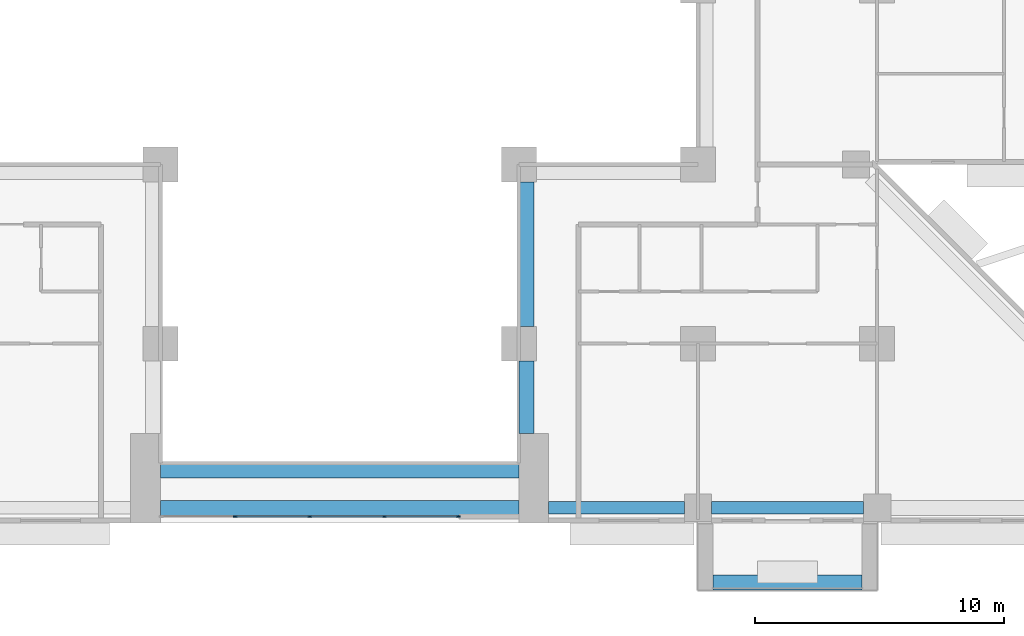
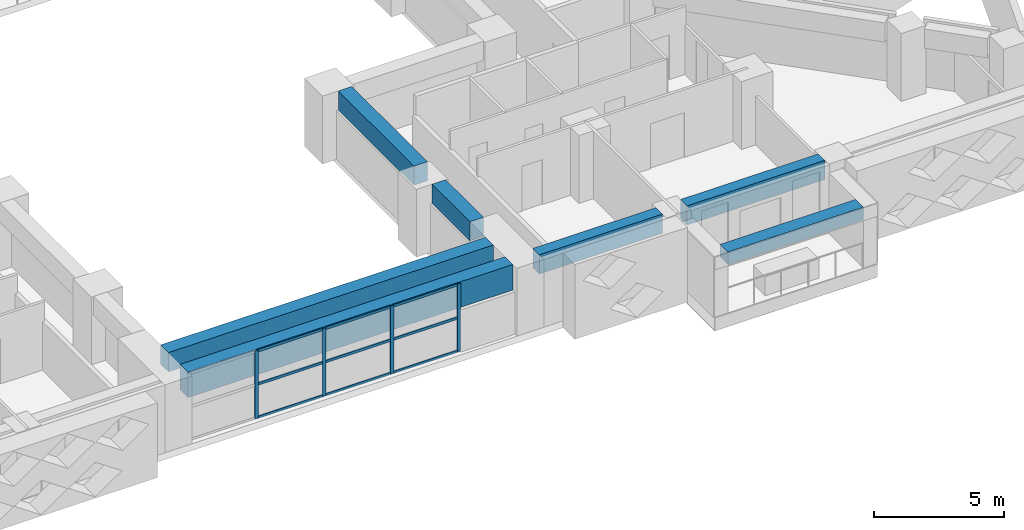
# One storey, part 4 of 16: 13 members, 7 beams, 1 element without a shape of its own.
"""IFC4 building model written with IfcOpenShell, lengths in metres."""

from ifc_helpers import new_model, si_unit, direction, frame, origin, origin_2d, place, context, subcontext, project, spatial, rectangle, extrude, source, transform, mapped, material, layer, layer_set, material_profile, profile_set, type_object, element, aggregate, save


model = new_model("IFC4")

# Units and contexts
model_context = context("Model", 3, precision=1e-05, world=origin(), true_north=direction((0.0, 1.0)))
body_context = subcontext(model_context, "Body", "Model", "MODEL_VIEW")
ifc_project = project(units=[si_unit("LENGTHUNIT", "METRE"), si_unit("AREAUNIT", "SQUARE_METRE"), si_unit("VOLUMEUNIT", "CUBIC_METRE"), si_unit("PLANEANGLEUNIT", "RADIAN"), si_unit("MASSUNIT", "GRAM", prefix="KILO")], contexts=[model_context])

# Site, building, storey
site_placement = place(None, origin())
site = spatial("IfcSite", under=ifc_project, at=site_placement, CompositionType="ELEMENT")
building_placement = place(site_placement, origin())
building = spatial("IfcBuilding", under=site, at=building_placement, Name="Saffron Iwan Residences", CompositionType="ELEMENT")
storey_placement = place(building_placement, frame((0.0, 0.0, 44.5)))
storey = spatial("IfcBuildingStorey", under=building, at=storey_placement, Name="L10", CompositionType="ELEMENT", Elevation=44.5)

# Beams
ifc_material_1 = material(Name="Concrete C60/75", Category="concrete")
ifc_material_profile_1 = material_profile(ifc_material_1, rectangle(XDim=0.5, YDim=0.89990234375, at=origin_2d()), Name="RC 500x900")
ifc_profile_set_1 = profile_set([ifc_material_profile_1], Name="Concrete C60/75")
beam_type_1 = type_object("IfcBeamType", Name="SPANDREL BEAM RC 500x900 C60/75 TOP 3180", PredefinedType="SPANDREL", material=ifc_profile_set_1)
shared_shape_1 = source(origin(), body_context, "Body", "SweptSolid", [
    extrude(rectangle(XDim=0.5, YDim=0.89990234375, at=origin_2d()), origin(), (0.0, 0.0, 1.0), 6.099853515625),
])
beam_1_placement = place(storey_placement, frame((71.449951171875, 34.199951171875, 2.72998046875), z_axis=(-1.0, 0.0, 0.0), x_axis=(0.0, -1.0, 0.0)))
element("IfcBeam", 1, at=beam_1_placement, inside=storey, type_object=beam_type_1, Name="Spandrel beam", PredefinedType="SPANDREL", context=body_context, shape_type="MappedRepresentation", body=[
    mapped(shared_shape_1, transform((0.0, 0.0, 0.0))),
])
shared_shape_2 = source(origin(), body_context, "Body", "SweptSolid", [
    extrude(rectangle(XDim=0.5, YDim=0.89990234375, at=origin_2d()), origin(), (0.0, 0.0, 1.0), 5.449951171875),
])
beam_2_placement = place(storey_placement, frame((64.25, 34.199951171875, 2.72998046875), z_axis=(-1.0, 0.0, 0.0), x_axis=(0.0, -1.0, 0.0)))
element("IfcBeam", 2, at=beam_2_placement, inside=storey, type_object=beam_type_1, Name="Spandrel beam", PredefinedType="SPANDREL", context=body_context, shape_type="MappedRepresentation", body=[
    mapped(shared_shape_2, transform((0.0, 0.0, 0.0))),
])
ifc_material_profile_2 = material_profile(ifc_material_1, rectangle(XDim=0.60009765625, YDim=1.199951171875, at=origin_2d()), Name="RC 600x1200")
ifc_profile_set_2 = profile_set([ifc_material_profile_2], Name="Concrete C60/75")
beam_type_2 = type_object("IfcBeamType", Name="LINTEL BEAM RC 600x1200 C60/75 TOP 3180", PredefinedType="LINTEL", material=ifc_profile_set_2)
shared_shape_3 = source(origin(), body_context, "Body", "SweptSolid", [
    extrude(rectangle(XDim=0.60009765625, YDim=1.199951171875, at=origin_2d()), origin(), (0.0, 0.0, 1.0), 14.400146484375),
])
beam_3_placement = place(storey_placement, frame((57.60009765625, 34.199951171875, 2.580078125), z_axis=(-1.0, 0.0, 0.0), x_axis=(0.0, -1.0, 0.0)))
element("IfcBeam", 3, at=beam_3_placement, inside=storey, type_object=beam_type_2, Name="Lintel beam over the iwan", PredefinedType="LINTEL", context=body_context, shape_type="MappedRepresentation", body=[
    mapped(shared_shape_3, transform((0.0, 0.0, 0.0))),
])
ifc_material_profile_3 = material_profile(ifc_material_1, rectangle(XDim=0.60009765625, YDim=0.89990234375, at=origin_2d()), Name="RC 600x900")
ifc_profile_set_3 = profile_set([ifc_material_profile_3], Name="Concrete C60/75")
beam_type_3 = type_object("IfcBeamType", Name="BEAM RC 600x900 C60/75 TOP 3180", PredefinedType="BEAM", material=ifc_profile_set_3)
shared_shape_4 = source(origin(), body_context, "Body", "SweptSolid", [
    extrude(rectangle(XDim=0.60009765625, YDim=0.89990234375, at=origin_2d()), origin(), (0.0, 0.0, 1.0), 14.400146484375),
])
beam_4_placement = place(storey_placement, frame((57.60009765625, 35.699951171875, 2.72998046875), z_axis=(-1.0, 0.0, 0.0), x_axis=(0.0, -1.0, 0.0)))
element("IfcBeam", 4, at=beam_4_placement, inside=storey, type_object=beam_type_3, Name="Atrium edge beam", PredefinedType="BEAM", context=body_context, shape_type="MappedRepresentation", body=[
    mapped(shared_shape_4, transform((0.0, 0.0, 0.0))),
])
shared_shape_5 = source(origin(), body_context, "Body", "SweptSolid", [
    extrude(rectangle(XDim=0.60009765625, YDim=0.89990234375, at=origin_2d()), origin(), (0.0, 0.0, 1.0), 2.900146484375),
])
beam_5_placement = place(storey_placement, frame((57.89990234375, 40.10009765625, 2.72998046875), z_axis=(0.0, -1.0, 0.0), x_axis=(1.0, 0.0, 0.0)))
element("IfcBeam", 5, at=beam_5_placement, inside=storey, type_object=beam_type_3, Name="Atrium edge beam", PredefinedType="BEAM", context=body_context, shape_type="MappedRepresentation", body=[
    mapped(shared_shape_5, transform((0.0, 0.0, 0.0))),
])
shared_shape_6 = source(origin(), body_context, "Body", "SweptSolid", [
    extrude(rectangle(XDim=0.60009765625, YDim=0.89990234375, at=origin_2d()), origin(), (0.0, 0.0, 1.0), 5.800048828125),
])
beam_6_placement = place(storey_placement, frame((57.89990234375, 47.300048828125, 2.72998046875), z_axis=(0.0, -1.0, 0.0), x_axis=(1.0, 0.0, 0.0)))
element("IfcBeam", 6, at=beam_6_placement, inside=storey, type_object=beam_type_3, Name="Atrium edge beam", PredefinedType="BEAM", context=body_context, shape_type="MappedRepresentation", body=[
    mapped(shared_shape_6, transform((0.0, 0.0, 0.0))),
])

# Curtain wall, members
ifc_material_2 = material(Name="Clear glass, laminated double glazed", Category="glass")
ifc_layer = layer(ifc_material_2, 0.199951171875)
ifc_layer_set = layer_set([ifc_layer], Name="Clear glass, laminated double glazed")
curtain_wall_type = type_object("IfcCurtainWallType", Name="CW-B IWAN PORTAL", PredefinedType="NOTDEFINED", material=ifc_layer_set)
curtain_wall_placement = place(storey_placement, origin())
curtain_wall = element("IfcCurtainWall", 7, at=curtain_wall_placement, inside=storey, type_object=curtain_wall_type, Name="Iwan portal glazing L10.1", PredefinedType="NOTDEFINED")
ifc_material_3 = material(Name="Aluminium 6063-T6", Category="aluminium")
ifc_material_profile_4 = material_profile(ifc_material_3, rectangle(XDim=0.06005859375, YDim=0.159912109375, at=origin_2d()), Name="CW-B MULLION 60 x 160")
ifc_profile_set_4 = profile_set([ifc_material_profile_4], Name="Aluminium 6063-T6")
member_type_1 = type_object("IfcMemberType", Name="CW-B MULLION 60 x 160", PredefinedType="MULLION", material=ifc_profile_set_4)
shared_shape_7 = source(origin(), body_context, "Body", "SweptSolid", [
    extrude(rectangle(XDim=0.06005859375, YDim=0.159912109375, at=origin_2d()), origin(), (0.0, 0.0, 1.0), 3.179931640625),
])
member_1_placement = place(storey_placement, frame((46.199951171875, 33.85009765625, 0.0), z_axis=(0.0, 0.0, 1.0), x_axis=(0.0, 1.0, 0.0)))
member_1 = element("IfcMember", 8, at=member_1_placement, type_object=member_type_1, Name="CW-B mullion 2", PredefinedType="MULLION", context=body_context, shape_type="MappedRepresentation", body=[
    mapped(shared_shape_7, transform((0.0, 0.0, 0.0))),
])
member_2_placement = place(storey_placement, frame((49.199951171875, 33.85009765625, 0.0), z_axis=(0.0, 0.0, 1.0), x_axis=(0.0, 1.0, 0.0)))
member_2 = element("IfcMember", 9, at=member_2_placement, type_object=member_type_1, Name="CW-B mullion 3", PredefinedType="MULLION", context=body_context, shape_type="MappedRepresentation", body=[
    mapped(shared_shape_7, transform((0.0, 0.0, 0.0))),
])
member_3_placement = place(storey_placement, frame((52.199951171875, 33.85009765625, 0.0), z_axis=(0.0, 0.0, 1.0), x_axis=(0.0, 1.0, 0.0)))
member_3 = element("IfcMember", 10, at=member_3_placement, type_object=member_type_1, Name="CW-B mullion 4", PredefinedType="MULLION", context=body_context, shape_type="MappedRepresentation", body=[
    mapped(shared_shape_7, transform((0.0, 0.0, 0.0))),
])
member_4_placement = place(storey_placement, frame((55.169921875, 33.85009765625, 0.0), z_axis=(0.0, 0.0, 1.0), x_axis=(0.0, 1.0, 0.0)))
member_4 = element("IfcMember", 11, at=member_4_placement, type_object=member_type_1, Name="CW-B mullion 5", PredefinedType="MULLION", context=body_context, shape_type="MappedRepresentation", body=[
    mapped(shared_shape_7, transform((0.0, 0.0, 0.0))),
])
ifc_material_profile_5 = material_profile(ifc_material_3, rectangle(XDim=0.06005859375, YDim=0.1201171875, at=origin_2d()), Name="CW-B TRANSOM 60 x 120")
ifc_profile_set_5 = profile_set([ifc_material_profile_5], Name="Aluminium 6063-T6")
member_type_2 = type_object("IfcMemberType", Name="CW-B TRANSOM 60 x 120", PredefinedType="USERDEFINED", material=ifc_profile_set_5)
shared_shape_8 = source(origin(), body_context, "Body", "SweptSolid", [
    extrude(rectangle(XDim=0.06005859375, YDim=0.1201171875, at=origin_2d()), origin(), (0.0, 0.0, 1.0), 2.909912109375),
])
member_5_placement = place(storey_placement, frame((52.22998046875, 33.85009765625, 0.030029296875), z_axis=(1.0, 0.0, 0.0), x_axis=(0.0, 1.0, 0.0)))
member_5 = element("IfcMember", 12, at=member_5_placement, type_object=member_type_2, Name="CW-B transom 4.1", ObjectType="TRANSOM", PredefinedType="USERDEFINED", context=body_context, shape_type="MappedRepresentation", body=[
    mapped(shared_shape_8, transform((0.0, 0.0, 0.0))),
])
member_6_placement = place(storey_placement, frame((52.22998046875, 33.85009765625, 1.590087890625), z_axis=(1.0, 0.0, 0.0), x_axis=(0.0, 1.0, 0.0)))
member_6 = element("IfcMember", 13, at=member_6_placement, type_object=member_type_2, Name="CW-B transom 4.2", ObjectType="TRANSOM", PredefinedType="USERDEFINED", context=body_context, shape_type="MappedRepresentation", body=[
    mapped(shared_shape_8, transform((0.0, 0.0, 0.0))),
])
member_7_placement = place(storey_placement, frame((52.22998046875, 33.85009765625, 3.14990234375), z_axis=(1.0, 0.0, 0.0), x_axis=(0.0, 1.0, 0.0)))
member_7 = element("IfcMember", 14, at=member_7_placement, type_object=member_type_2, Name="CW-B transom 4.3", ObjectType="TRANSOM", PredefinedType="USERDEFINED", context=body_context, shape_type="MappedRepresentation", body=[
    mapped(shared_shape_8, transform((0.0, 0.0, 0.0))),
])
shared_shape_9 = source(origin(), body_context, "Body", "SweptSolid", [
    extrude(rectangle(XDim=0.06005859375, YDim=0.1201171875, at=origin_2d()), origin(), (0.0, 0.0, 1.0), 2.93994140625),
])
member_8_placement = place(storey_placement, frame((46.22998046875, 33.85009765625, 0.030029296875), z_axis=(1.0, 0.0, 0.0), x_axis=(0.0, 1.0, 0.0)))
member_8 = element("IfcMember", 15, at=member_8_placement, type_object=member_type_2, Name="CW-B transom 2.1", ObjectType="TRANSOM", PredefinedType="USERDEFINED", context=body_context, shape_type="MappedRepresentation", body=[
    mapped(shared_shape_9, transform((0.0, 0.0, 0.0))),
])
member_9_placement = place(storey_placement, frame((46.22998046875, 33.85009765625, 1.590087890625), z_axis=(1.0, 0.0, 0.0), x_axis=(0.0, 1.0, 0.0)))
member_9 = element("IfcMember", 16, at=member_9_placement, type_object=member_type_2, Name="CW-B transom 2.2", ObjectType="TRANSOM", PredefinedType="USERDEFINED", context=body_context, shape_type="MappedRepresentation", body=[
    mapped(shared_shape_9, transform((0.0, 0.0, 0.0))),
])
member_10_placement = place(storey_placement, frame((46.22998046875, 33.85009765625, 3.14990234375), z_axis=(1.0, 0.0, 0.0), x_axis=(0.0, 1.0, 0.0)))
member_10 = element("IfcMember", 17, at=member_10_placement, type_object=member_type_2, Name="CW-B transom 2.3", ObjectType="TRANSOM", PredefinedType="USERDEFINED", context=body_context, shape_type="MappedRepresentation", body=[
    mapped(shared_shape_9, transform((0.0, 0.0, 0.0))),
])
member_11_placement = place(storey_placement, frame((49.22998046875, 33.85009765625, 0.030029296875), z_axis=(1.0, 0.0, 0.0), x_axis=(0.0, 1.0, 0.0)))
member_11 = element("IfcMember", 18, at=member_11_placement, type_object=member_type_2, Name="CW-B transom 3.1", ObjectType="TRANSOM", PredefinedType="USERDEFINED", context=body_context, shape_type="MappedRepresentation", body=[
    mapped(shared_shape_9, transform((0.0, 0.0, 0.0))),
])
member_12_placement = place(storey_placement, frame((49.22998046875, 33.85009765625, 1.590087890625), z_axis=(1.0, 0.0, 0.0), x_axis=(0.0, 1.0, 0.0)))
member_12 = element("IfcMember", 19, at=member_12_placement, type_object=member_type_2, Name="CW-B transom 3.2", ObjectType="TRANSOM", PredefinedType="USERDEFINED", context=body_context, shape_type="MappedRepresentation", body=[
    mapped(shared_shape_9, transform((0.0, 0.0, 0.0))),
])
member_13_placement = place(storey_placement, frame((49.22998046875, 33.85009765625, 3.14990234375), z_axis=(1.0, 0.0, 0.0), x_axis=(0.0, 1.0, 0.0)))
member_13 = element("IfcMember", 20, at=member_13_placement, type_object=member_type_2, Name="CW-B transom 3.3", ObjectType="TRANSOM", PredefinedType="USERDEFINED", context=body_context, shape_type="MappedRepresentation", body=[
    mapped(shared_shape_9, transform((0.0, 0.0, 0.0))),
])
aggregate(curtain_wall, [member_1, member_2, member_3, member_4, member_8, member_9, member_10, member_11, member_12, member_13, member_5, member_6, member_7])

# Beam
ifc_material_4 = material(Name="Concrete C50/60 white painted", Category="concrete")
ifc_material_profile_6 = material_profile(ifc_material_4, rectangle(XDim=0.60009765625, YDim=0.60009765625, at=origin_2d()), Name="BALCONY FASCIA BEAM 600 x 600")
ifc_profile_set_6 = profile_set([ifc_material_profile_6], Name="Concrete C50/60 white painted")
beam_type_4 = type_object("IfcBeamType", Name="BALCONY FASCIA BEAM 600 x 600", PredefinedType="BEAM", material=ifc_profile_set_6)
shared_shape_10 = source(origin(), body_context, "Body", "SweptSolid", [
    extrude(rectangle(XDim=0.60009765625, YDim=0.60009765625, at=origin_2d()), origin(), (0.0, 0.0, 1.0), 6.0),
])
beam_7_placement = place(storey_placement, frame((65.39990234375, 31.199951171875, 2.550048828125), z_axis=(1.0, 0.0, 0.0), x_axis=(0.0, 1.0, 0.0)))
element("IfcBeam", 21, at=beam_7_placement, inside=storey, type_object=beam_type_4, Name="Balcony fascia beam L10 11-1", PredefinedType="BEAM", context=body_context, shape_type="MappedRepresentation", body=[
    mapped(shared_shape_10, transform((0.0, 0.0, 0.0))),
])

save(model, "model.ifc")
